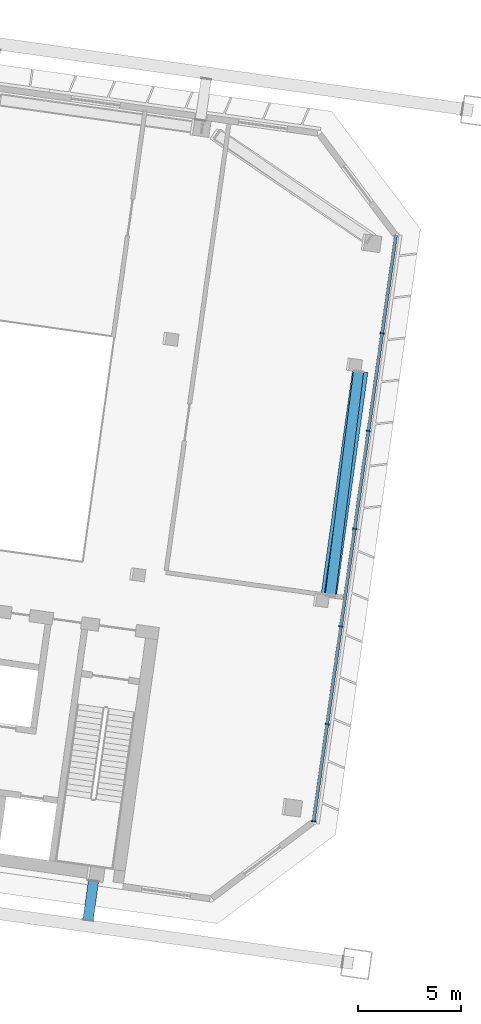
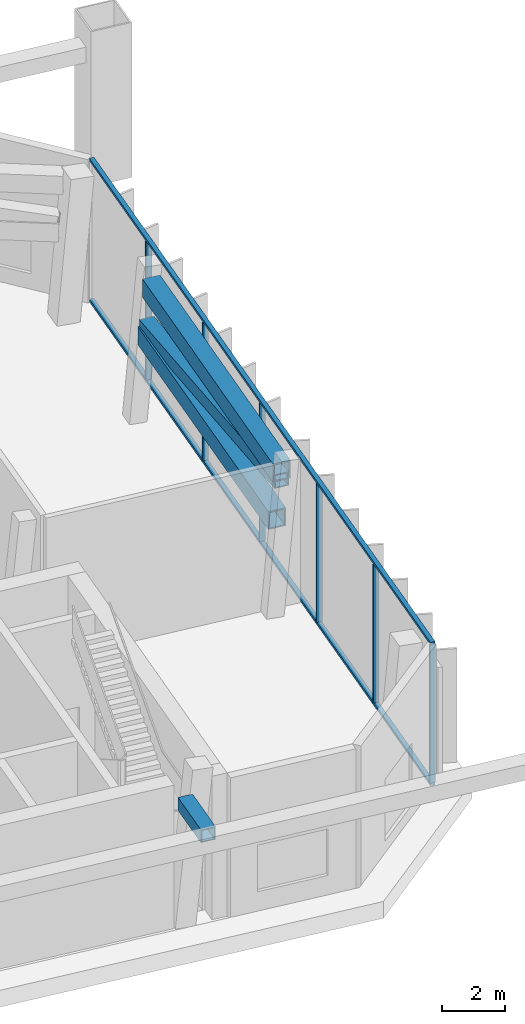
# One storey, part 5 of 29: 12 members, 1 element without a shape of its own.
"""IFC4 building model written with IfcOpenShell, lengths in metres."""

from ifc_helpers import new_model, si_unit, direction, frame, origin, origin_2d, place, context, subcontext, project, spatial, rectangle, hollow_rectangle, extrude, material, material_profile, profile_set, type_object, element, aggregate, save


model = new_model("IFC4")

# Units and contexts
model_context = context("Model", 3, precision=1e-05, world=origin(), true_north=direction((0.0, 1.0)))
body_context = subcontext(model_context, "Body", "Model", "MODEL_VIEW")
ifc_project = project(units=[si_unit("LENGTHUNIT", "METRE"), si_unit("AREAUNIT", "SQUARE_METRE"), si_unit("VOLUMEUNIT", "CUBIC_METRE"), si_unit("PLANEANGLEUNIT", "RADIAN"), si_unit("MASSUNIT", "GRAM", prefix="KILO")], contexts=[model_context])

# Site, building, storey
site_placement = place(None, origin())
site = spatial("IfcSite", under=ifc_project, at=site_placement, CompositionType="ELEMENT")
building_placement = place(site_placement, origin())
building = spatial("IfcBuilding", under=site, at=building_placement, Name="Mirante Cascada Hotel Towers", CompositionType="ELEMENT")
storey_placement = place(building_placement, frame((0.0, 0.0, 210.6)))
storey = spatial("IfcBuildingStorey", under=building, at=storey_placement, Name="L50", CompositionType="ELEMENT", Elevation=210.6)

# Members
ifc_material_1 = material(Name="Steel ASTM A572 Gr 50", Category="steel")
ifc_material_profile_1 = material_profile(ifc_material_1, hollow_rectangle(XDim=0.6, YDim=0.7, WallThickness=0.05, at=origin_2d()), Name="Box chord 700x600x50 ASTM A572 Gr 50")
ifc_profile_set_1 = profile_set([ifc_material_profile_1], Name="Steel ASTM A572 Gr 50")
member_type_1 = type_object("IfcMemberType", Name="Box chord 700x600x50 ASTM A572 Gr 50", PredefinedType="CHORD", material=ifc_profile_set_1)
member_1_placement = place(storey_placement, frame((-27.2719, -5.837, 5.2), z_axis=(0.1391764, 0.9902676, 0.0), x_axis=(-0.9902676, 0.1391764, 0.0)))
element("IfcMember", 1, at=member_1_placement, inside=storey, type_object=member_type_1, Name="belt T1 L50 25", PredefinedType="CHORD", context=body_context, shape_type="SweptSolid", body=[
    extrude(hollow_rectangle(XDim=0.6, YDim=0.7, WallThickness=0.05, at=origin_2d()), origin(), (0.0, 0.0, 1.0), 11.0399),
])
member_2_placement = place(storey_placement, frame((-27.4258, -5.8154, 3.4), z_axis=(0.1391752, 0.9902678, 0.0), x_axis=(-0.9902678, 0.1391752, 0.0)))
element("IfcMember", 2, at=member_2_placement, inside=storey, type_object=member_type_1, Name="belt T1 L50 26", PredefinedType="CHORD", context=body_context, shape_type="SweptSolid", body=[
    extrude(hollow_rectangle(XDim=0.6, YDim=0.7, WallThickness=0.05, at=origin_2d()), origin(), (0.0, 0.0, 1.0), 11.04),
])
ifc_material_2 = material(Name="Steel ASTM A572 Gr 50", Category="steel")
ifc_material_profile_2 = material_profile(ifc_material_2, hollow_rectangle(XDim=0.5, YDim=0.5, WallThickness=0.035, at=origin_2d()), Name="Box diagonal 500x500x35 ASTM A572 Gr 50")
ifc_profile_set_2 = profile_set([ifc_material_profile_2], Name="Steel ASTM A572 Gr 50")
member_type_2 = type_object("IfcMemberType", Name="Box diagonal 500x500x35 ASTM A572 Gr 50", PredefinedType="BRACE", material=ifc_profile_set_2)
member_3_placement = place(storey_placement, frame((-27.2719, -5.837, 4.85), z_axis=(0.1246061, 0.9872412, -0.0991369), x_axis=(-0.9921286, 0.1252229, 0.0)))
element("IfcMember", 3, at=member_3_placement, inside=storey, type_object=member_type_2, Name="belt T1 L50 27", PredefinedType="BRACE", context=body_context, shape_type="SweptSolid", body=[
    extrude(hollow_rectangle(XDim=0.5, YDim=0.5, WallThickness=0.035, at=origin_2d()), origin(), (0.0, 0.0, 1.0), 11.0958),
])
ifc_material_3 = material(Name="Steel ASTM A572 Gr 50", Category="steel")
ifc_material_profile_3 = material_profile(ifc_material_3, hollow_rectangle(XDim=0.5, YDim=0.5, WallThickness=0.035, at=origin_2d()), Name="Box tie 500x500x35 ASTM A572 Gr 50")
ifc_profile_set_3 = profile_set([ifc_material_profile_3], Name="Steel ASTM A572 Gr 50")
member_type_3 = type_object("IfcMemberType", Name="Box tie 500x500x35 ASTM A572 Gr 50", PredefinedType="STRUT", material=ifc_profile_set_3)
member_4_placement = place(storey_placement, frame((-38.8163, -19.7255, 4.85), z_axis=(-0.1391766, -0.9902676, 0.0), x_axis=(0.9902676, -0.1391766, 0.0)))
element("IfcMember", 4, at=member_4_placement, inside=storey, type_object=member_type_3, Name="tie T1 L50 2", PredefinedType="STRUT", context=body_context, shape_type="SweptSolid", body=[
    extrude(hollow_rectangle(XDim=0.5, YDim=0.5, WallThickness=0.035, at=origin_2d()), origin(), (0.0, 0.0, 1.0), 1.94),
])

# Curtain wall, members
ifc_material_4 = material(Name="Aluminium mullion and transom frame with clear laminated glass", Category="aluminium")
curtain_wall_type = type_object("IfcCurtainWallType", Name="End ribbon curtain wall ECW2", PredefinedType="NOTDEFINED", material=ifc_material_4)
curtain_wall_placement = place(storey_placement, origin())
curtain_wall = element("IfcCurtainWall", 5, at=curtain_wall_placement, inside=storey, type_object=curtain_wall_type, Name="Inner end wall T1 L50", PredefinedType="NOTDEFINED")
ifc_material_5 = material(Name="Anodised aluminium extrusion", Category="aluminium")
ifc_material_profile_4 = material_profile(ifc_material_5, rectangle(XDim=0.2, YDim=0.065, at=origin_2d()), Name="ECW2 MULLION 65x200")
ifc_profile_set_4 = profile_set([ifc_material_profile_4], Name="Anodised aluminium extrusion")
member_type_4 = type_object("IfcMemberType", Name="ECW2 mullion 65x200", PredefinedType="MULLION", material=ifc_profile_set_4)
member_5_placement = place(storey_placement, frame((-24.7443, 6.9812, 0.1), z_axis=(0.0, 0.0, 1.0), x_axis=(0.9902681, -0.1391731, 0.0)))
member_5 = element("IfcMember", 6, at=member_5_placement, type_object=member_type_4, Name="ECW2 mullion 2", PredefinedType="MULLION", context=body_context, shape_type="SweptSolid", body=[
    extrude(rectangle(XDim=0.2, YDim=0.065, at=origin_2d()), origin(), (0.0, 0.0, 1.0), 5.35),
])
member_6_placement = place(storey_placement, frame((-25.4141, 2.2154, 0.1), z_axis=(0.0, 0.0, 1.0), x_axis=(0.9902681, -0.1391731, 0.0)))
member_6 = element("IfcMember", 7, at=member_6_placement, type_object=member_type_4, Name="ECW2 mullion 3", PredefinedType="MULLION", context=body_context, shape_type="SweptSolid", body=[
    extrude(rectangle(XDim=0.2, YDim=0.065, at=origin_2d()), origin(), (0.0, 0.0, 1.0), 5.35),
])
member_7_placement = place(storey_placement, frame((-26.0839, -2.5504, 0.1), z_axis=(0.0, 0.0, 1.0), x_axis=(0.9902681, -0.1391731, 0.0)))
member_7 = element("IfcMember", 8, at=member_7_placement, type_object=member_type_4, Name="ECW2 mullion 4", PredefinedType="MULLION", context=body_context, shape_type="SweptSolid", body=[
    extrude(rectangle(XDim=0.2, YDim=0.065, at=origin_2d()), origin(), (0.0, 0.0, 1.0), 5.35),
])
member_8_placement = place(storey_placement, frame((-26.7536, -7.3162, 0.1), z_axis=(0.0, 0.0, 1.0), x_axis=(0.9902681, -0.1391731, 0.0)))
member_8 = element("IfcMember", 9, at=member_8_placement, type_object=member_type_4, Name="ECW2 mullion 5", PredefinedType="MULLION", context=body_context, shape_type="SweptSolid", body=[
    extrude(rectangle(XDim=0.2, YDim=0.065, at=origin_2d()), origin(), (0.0, 0.0, 1.0), 5.35),
])
member_9_placement = place(storey_placement, frame((-27.4234, -12.082, 0.1), z_axis=(0.0, 0.0, 1.0), x_axis=(0.9902681, -0.1391731, 0.0)))
member_9 = element("IfcMember", 10, at=member_9_placement, type_object=member_type_4, Name="ECW2 mullion 6", PredefinedType="MULLION", context=body_context, shape_type="SweptSolid", body=[
    extrude(rectangle(XDim=0.2, YDim=0.065, at=origin_2d()), origin(), (0.0, 0.0, 1.0), 5.35),
])
member_10_placement = place(storey_placement, frame((-28.0887, -16.8156, 0.1), z_axis=(0.0, 0.0, 1.0), x_axis=(0.9902681, -0.1391731, 0.0)))
member_10 = element("IfcMember", 11, at=member_10_placement, type_object=member_type_4, Name="ECW2 mullion 7", PredefinedType="MULLION", context=body_context, shape_type="SweptSolid", body=[
    extrude(rectangle(XDim=0.2, YDim=0.065, at=origin_2d()), origin(), (0.0, 0.0, 1.0), 5.35),
])
ifc_material_6 = material(Name="Anodised aluminium extrusion", Category="aluminium")
ifc_material_profile_5 = material_profile(ifc_material_6, rectangle(XDim=0.16, YDim=0.1, at=origin_2d()), Name="ECW2 TRANSOM 100x160")
ifc_profile_set_5 = profile_set([ifc_material_profile_5], Name="Anodised aluminium extrusion")
member_type_5 = type_object("IfcMemberType", Name="ECW2 transom 100x160", PredefinedType="USERDEFINED", material=ifc_profile_set_5)
member_11_placement = place(storey_placement, frame((-24.0745, 11.747, 0.05), z_axis=(-0.1391723, -0.9902682, 0.0), x_axis=(0.9902682, -0.1391723, 0.0)))
member_11 = element("IfcMember", 12, at=member_11_placement, type_object=member_type_5, Name="ECW2 sill transom", ObjectType="TRANSOM", PredefinedType="USERDEFINED", context=body_context, shape_type="SweptSolid", body=[
    extrude(rectangle(XDim=0.16, YDim=0.1, at=origin_2d()), origin(), (0.0, 0.0, 1.0), 28.8757),
])
member_12_placement = place(storey_placement, frame((-24.0745, 11.747, 5.5), z_axis=(-0.1391723, -0.9902682, 0.0), x_axis=(0.9902682, -0.1391723, 0.0)))
member_12 = element("IfcMember", 13, at=member_12_placement, type_object=member_type_5, Name="ECW2 head transom", ObjectType="TRANSOM", PredefinedType="USERDEFINED", context=body_context, shape_type="SweptSolid", body=[
    extrude(rectangle(XDim=0.16, YDim=0.1, at=origin_2d()), origin(), (0.0, 0.0, 1.0), 28.8757),
])
aggregate(curtain_wall, [member_11, member_12, member_5, member_6, member_7, member_8, member_9, member_10])

save(model, "model.ifc")
